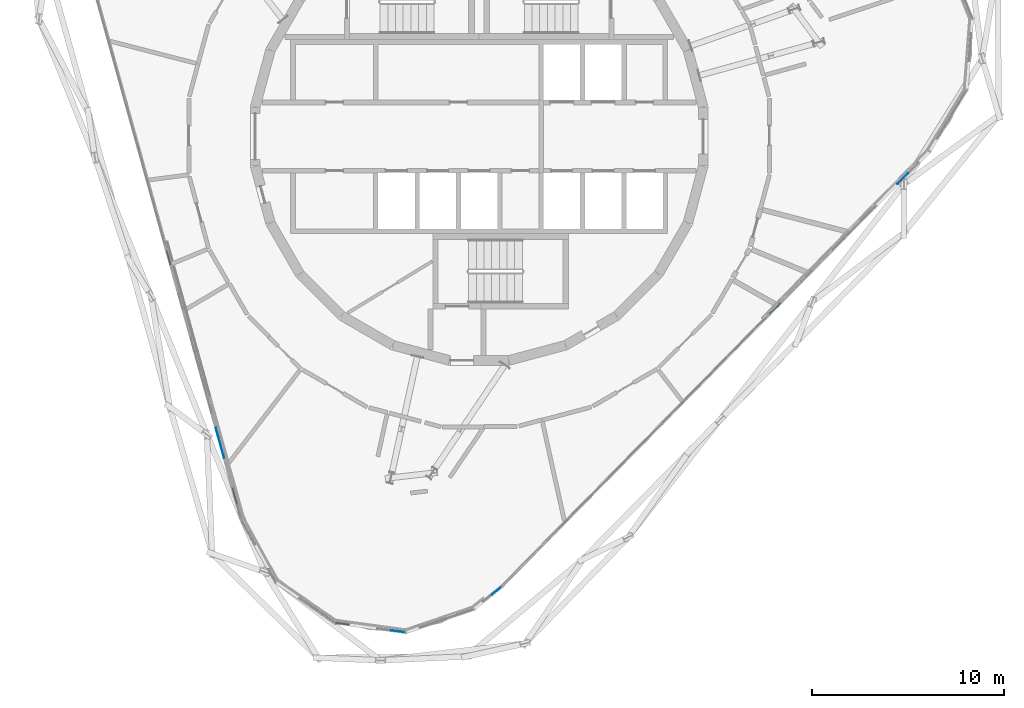
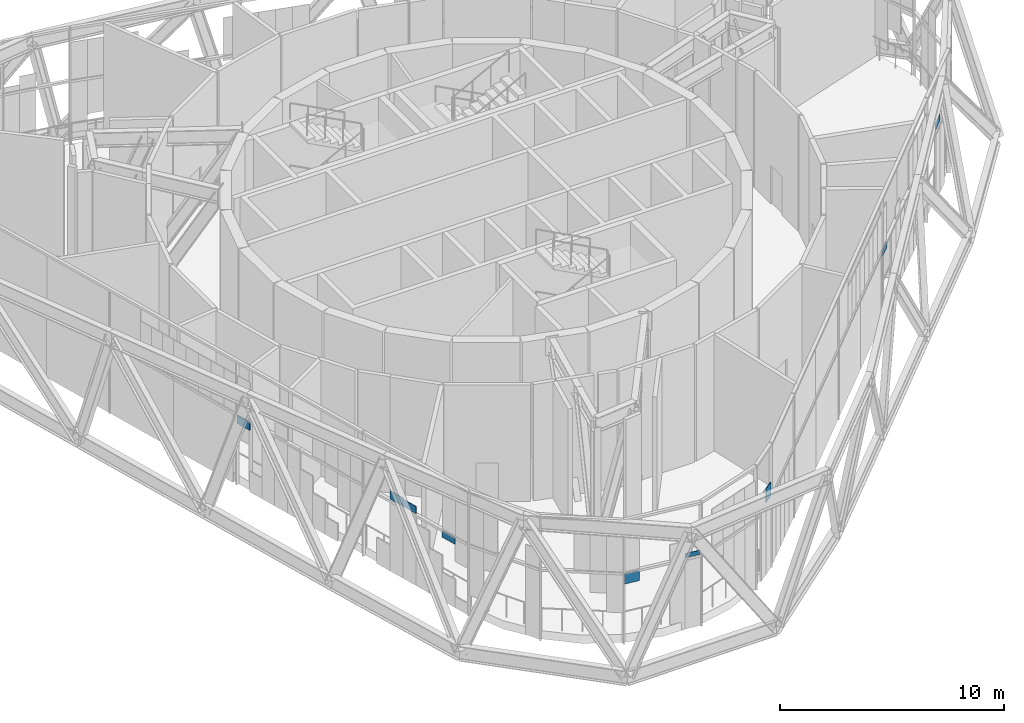
# One storey, part 15 of 23: 9 plates, 4 elements without a shape of their own.
"""IFC4 building model written with IfcOpenShell, lengths in metres."""

from ifc_helpers import new_model, si_unit, direction, frame, origin, origin_2d, place, context, subcontext, project, spatial, rectangle, extrude, material, layer, layer_set, type_object, element, aggregate, save


model = new_model("IFC4")

# Units and contexts
model_context = context("Model", 3, precision=1e-05, world=origin(), true_north=direction((0.0, 1.0)))
body_context = subcontext(model_context, "Body", "Model", "MODEL_VIEW")
ifc_project = project(units=[si_unit("LENGTHUNIT", "METRE"), si_unit("AREAUNIT", "SQUARE_METRE"), si_unit("VOLUMEUNIT", "CUBIC_METRE"), si_unit("PLANEANGLEUNIT", "RADIAN"), si_unit("MASSUNIT", "GRAM", prefix="KILO")], contexts=[model_context])

# Site, building, storey
site_placement = place(None, origin())
site = spatial("IfcSite", under=ifc_project, at=site_placement, CompositionType="ELEMENT")
building_placement = place(site_placement, origin())
building = spatial("IfcBuilding", under=site, at=building_placement, Name="Spindle Arch Residences", CompositionType="ELEMENT")
storey_placement = place(building_placement, frame((0.0, 0.0, 326.199951171875)))
storey = spatial("IfcBuildingStorey", under=building, at=storey_placement, Name="L84", CompositionType="ELEMENT", Elevation=326.199951171875)

# Curtain wall, plate
ifc_material_1 = material(Name="Aluminium bronze unitised frame with tinted glass", Category="aluminium")
ifc_layer_1 = layer(ifc_material_1, 0.159912109375)
ifc_layer_set_1 = layer_set([ifc_layer_1], Name="CW-E double-height winter garden wall")
curtain_wall_type = type_object("IfcCurtainWallType", Name="CW-E double-height winter garden wall", PredefinedType="NOTDEFINED", material=ifc_layer_set_1)
curtain_wall_1_placement = place(storey_placement, origin())
curtain_wall_1 = element("IfcCurtainWall", 1, at=curtain_wall_1_placement, inside=storey, type_object=curtain_wall_type, Name="CW-E L84 run 1", PredefinedType="NOTDEFINED")
ifc_material_2 = material(Name="Tinted laminated glass 28 mm", Category="glass")
ifc_layer_2 = layer(ifc_material_2, 0.028076171875)
ifc_layer_set_2 = layer_set([ifc_layer_2], Name="Tinted glass panel 28 mm")
plate_type_1 = type_object("IfcPlateType", Name="Tinted glass panel 28 mm", PredefinedType="CURTAIN_PANEL", material=ifc_layer_set_2)
plate_1_placement = place(storey_placement, frame((22.033935546875, -2.18115234375, 3.4599609375), z_axis=(0.0, 0.0, 1.0), x_axis=(0.7009092643, 0.713250449154, 0.0)))
plate_1 = element("IfcPlate", 2, at=plate_1_placement, type_object=plate_type_1, Name="CW-E panel 00b.1", PredefinedType="CURTAIN_PANEL", context=body_context, shape_type="SweptSolid", body=[
    extrude(rectangle(XDim=0.7822265625, YDim=0.028076171875, at=origin_2d()), origin(), (0.0, 0.0, 1.0), 0.37744140625),
])
aggregate(curtain_wall_1, [plate_1])

# Curtain wall, plates
curtain_wall_2_placement = place(storey_placement, origin())
curtain_wall_2 = element("IfcCurtainWall", 3, at=curtain_wall_2_placement, inside=storey, type_object=curtain_wall_type, Name="CW-E L84 run 5", PredefinedType="NOTDEFINED")
plate_2_placement = place(storey_placement, frame((-13.587890625, -15.532470703125, 3.4599609375), z_axis=(0.0, 0.0, 1.0), x_axis=(0.267238376078, -0.963630453209, 0.0)))
plate_2 = element("IfcPlate", 4, at=plate_2_placement, type_object=plate_type_1, Name="CW-E panel 00b.2", PredefinedType="CURTAIN_PANEL", context=body_context, shape_type="SweptSolid", body=[
    extrude(rectangle(XDim=0.819580078125, YDim=0.028076171875, at=origin_2d()), origin(), (0.0, 0.0, 1.0), 0.4609375),
])
plate_3_placement = place(storey_placement, frame((-13.368896484375, -16.322265625, 3.4599609375), z_axis=(0.0, 0.0, 1.0), x_axis=(0.267238376078, -0.963630453209, 0.0)))
plate_3 = element("IfcPlate", 5, at=plate_3_placement, type_object=plate_type_1, Name="CW-E panel 00b.3", PredefinedType="CURTAIN_PANEL", context=body_context, shape_type="SweptSolid", body=[
    extrude(rectangle(XDim=0.819580078125, YDim=0.028076171875, at=origin_2d()), origin(), (0.0, 0.0, 1.0), 0.388427734375),
])
plate_4_placement = place(storey_placement, frame((-4.207763671875, -25.734130859375, 3.4599609375), z_axis=(0.0, 0.0, 1.0), x_axis=(0.99066871764, -0.136291936259, 0.0)))
plate_4 = element("IfcPlate", 6, at=plate_4_placement, type_object=plate_type_1, Name="CW-E panel 03b.3", PredefinedType="CURTAIN_PANEL", context=body_context, shape_type="SweptSolid", body=[
    extrude(rectangle(XDim=0.7333984375, YDim=0.028076171875, at=origin_2d()), origin(), (0.0, 0.0, 1.0), 0.221923828125),
])
plate_5_placement = place(storey_placement, frame((0.91455078125, -23.617431640625, 3.4599609375), z_axis=(0.0, 0.0, 1.0), x_axis=(0.778973292636, 0.627057102153, 0.0)))
plate_5 = element("IfcPlate", 7, at=plate_5_placement, type_object=plate_type_1, Name="CW-E panel 05b.2", PredefinedType="CURTAIN_PANEL", context=body_context, shape_type="SweptSolid", body=[
    extrude(rectangle(XDim=0.60546875, YDim=0.028076171875, at=origin_2d()), origin(), (0.0, 0.0, 1.0), 0.7626953125),
])

# Curtain wall, plate
curtain_wall_3_placement = place(storey_placement, origin())
curtain_wall_3 = element("IfcCurtainWall", 8, at=curtain_wall_3_placement, inside=storey, type_object=curtain_wall_type, Name="CW-E L84 run 4", PredefinedType="NOTDEFINED")
ifc_material_3 = material(Name="Tinted double glazing over aluminium faced non-combustible spandrel zone (K0)", Category="aluminium")
ifc_layer_3 = layer(ifc_material_3, 0.06005859375)
ifc_layer_set_3 = layer_set([ifc_layer_3], Name="Unitised glass panel with E 60 spandrel zone")
plate_type_2 = type_object("IfcPlateType", Name="Unitised glass panel with E 60 spandrel zone", PredefinedType="CURTAIN_PANEL", material=ifc_layer_set_3)
plate_6_placement = place(storey_placement, frame((-16.15087890625, -6.291259765625, 2.895751953125), z_axis=(0.0, 0.0, 1.0), x_axis=(0.267238376078, -0.963630453209, 0.0)))
plate_6 = element("IfcPlate", 9, at=plate_6_placement, type_object=plate_type_2, Name="CW-E panel 13Aa.1", PredefinedType="CURTAIN_PANEL", context=body_context, shape_type="SweptSolid", body=[
    extrude(rectangle(XDim=0.78759765625, YDim=0.06005859375, at=origin_2d()), origin(), (0.0, 0.0, 1.0), 0.4443359375),
])
aggregate(curtain_wall_3, [plate_6])

# Plate
plate_7_placement = place(storey_placement, frame((-12.7119140625, -18.691162109375, 2.997802734375), z_axis=(0.0, 0.0, 1.0), x_axis=(0.267238376078, -0.963630453209, 0.0)))
plate_7 = element("IfcPlate", 10, at=plate_7_placement, type_object=plate_type_2, Name="CW-E panel 00a.7", PredefinedType="CURTAIN_PANEL", context=body_context, shape_type="SweptSolid", body=[
    extrude(rectangle(XDim=0.819580078125, YDim=0.06005859375, at=origin_2d()), origin(), (0.0, 0.0, 1.0), 0.34228515625),
])

plate_8_placement = place(storey_placement, frame((-7.11376953125, -25.33447265625, 2.802490234375), z_axis=(0.0, 0.0, 1.0), x_axis=(0.99066871764, -0.136291936259, 0.0)))
plate_8 = element("IfcPlate", 11, at=plate_8_placement, type_object=plate_type_2, Name="CW-E panel 03a.1", PredefinedType="CURTAIN_PANEL", context=body_context, shape_type="SweptSolid", body=[
    extrude(rectangle(XDim=0.7333984375, YDim=0.06005859375, at=origin_2d()), origin(), (0.0, 0.0, 1.0), 0.53759765625),
])

aggregate(curtain_wall_2, [plate_7, plate_2, plate_3, plate_8, plate_4, plate_5])

# Curtain wall, plate
curtain_wall_4_placement = place(storey_placement, origin())
curtain_wall_4 = element("IfcCurtainWall", 12, at=curtain_wall_4_placement, inside=storey, type_object=curtain_wall_type, Name="CW-E L84 run 6", PredefinedType="NOTDEFINED")
plate_9_placement = place(storey_placement, frame((15.377685546875, -8.954833984375, 3.02734375), z_axis=(0.0, 0.0, 1.0), x_axis=(0.7009092643, 0.713250449154, 0.0)))
plate_9 = element("IfcPlate", 13, at=plate_9_placement, type_object=plate_type_2, Name="CW-E panel 00Aa.1", PredefinedType="CURTAIN_PANEL", context=body_context, shape_type="SweptSolid", body=[
    extrude(rectangle(XDim=0.78759765625, YDim=0.06005859375, at=origin_2d()), origin(), (0.0, 0.0, 1.0), 0.312744140625),
])
aggregate(curtain_wall_4, [plate_9])

save(model, "model.ifc")
